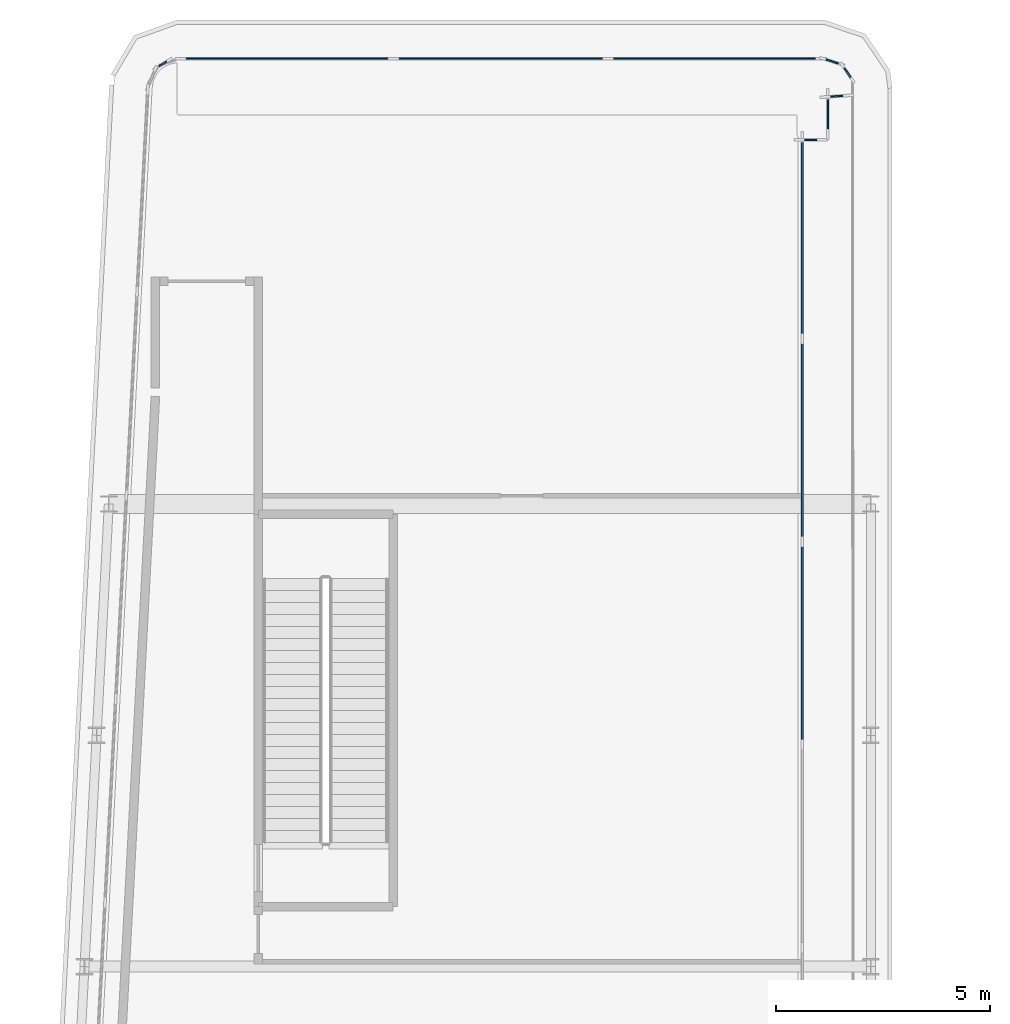
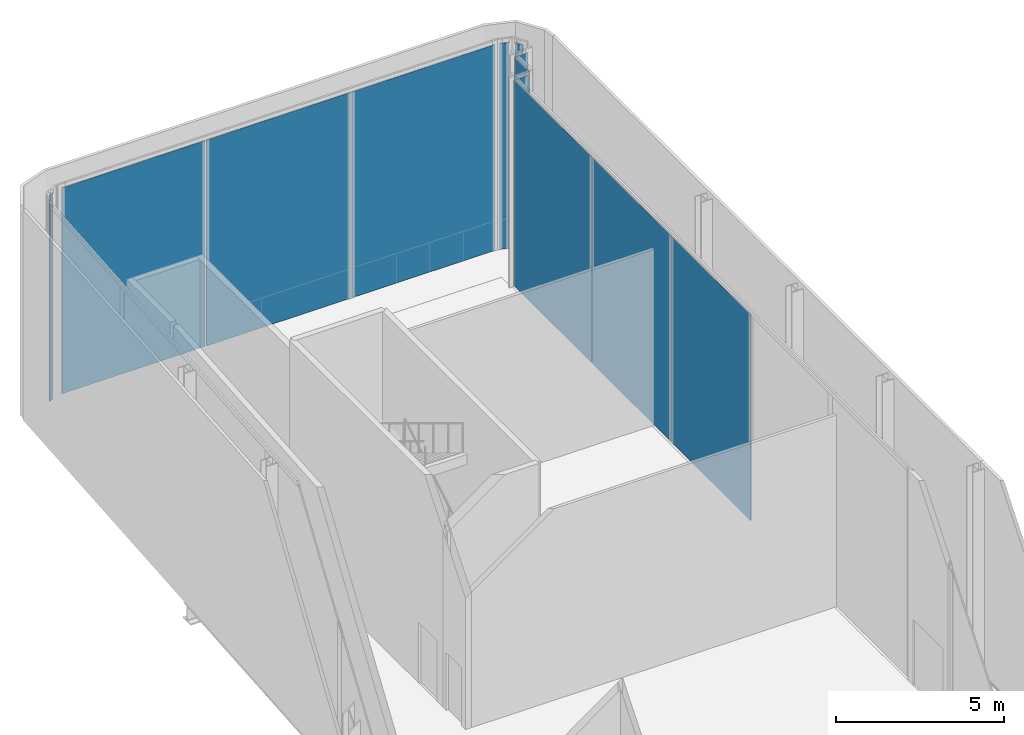
# One storey, part 19 of 27: 12 plates, 8 elements without a shape of their own.
"""IFC4 building model written with IfcOpenShell, lengths in metres."""

from ifc_helpers import new_model, si_unit, direction, frame, origin, origin_2d, place, context, subcontext, project, spatial, rectangle, extrude, material, layer, layer_set, type_object, element, aggregate, save


model = new_model("IFC4")

# Units and contexts
model_context = context("Model", 3, precision=1e-05, world=origin(), true_north=direction((0.0, 1.0)))
body_context = subcontext(model_context, "Body", "Model", "MODEL_VIEW")
ifc_project = project(units=[si_unit("LENGTHUNIT", "METRE"), si_unit("AREAUNIT", "SQUARE_METRE"), si_unit("VOLUMEUNIT", "CUBIC_METRE"), si_unit("PLANEANGLEUNIT", "RADIAN"), si_unit("MASSUNIT", "GRAM", prefix="KILO")], contexts=[model_context])

# Site, building, storey
site_placement = place(None, origin())
site = spatial("IfcSite", under=ifc_project, at=site_placement, CompositionType="ELEMENT")
building_placement = place(site_placement, origin())
building = spatial("IfcBuilding", under=site, at=building_placement, Name="Kheshtan School and Residences Tower", CompositionType="ELEMENT")
storey_placement = place(building_placement, frame((0.0, 0.0, 266.89990234375)))
storey = spatial("IfcBuildingStorey", under=building, at=storey_placement, Name="L63", CompositionType="ELEMENT", Elevation=266.89990234375)

# Curtain wall, plates
ifc_material = material(Name="Clear low-e glass in thermally broken aluminium frame", Category="aluminium")
ifc_layer_1 = layer(ifc_material, 0.25)
ifc_layer_set_1 = layer_set([ifc_layer_1], Name="Curtain wall CW-G")
curtain_wall_type_1 = type_object("IfcCurtainWallType", Name="Curtain wall CW-G", PredefinedType="NOTDEFINED", material=ifc_layer_set_1)
curtain_wall_1_placement = place(storey_placement, origin())
curtain_wall_1 = element("IfcCurtainWall", 1, at=curtain_wall_1_placement, inside=storey, type_object=curtain_wall_type_1, Name="Curtain wall CWG19b", PredefinedType="NOTDEFINED")
ifc_layer_2 = layer(ifc_material, 0.0380859375)
ifc_layer_set_2 = layer_set([ifc_layer_2], Name="CW-G glass panel")
plate_type_1 = type_object("IfcPlateType", Name="CW-G glass panel", PredefinedType="CURTAIN_PANEL", material=ifc_layer_set_2)
plate_1_placement = place(storey_placement, frame((46.0, 95.014892578125, 0.0), z_axis=(0.0, 0.0, 1.0), x_axis=(0.0, -1.0, 0.0)))
plate_1 = element("IfcPlate", 2, at=plate_1_placement, type_object=plate_type_1, Name="CWG19b panel 1.1", PredefinedType="CURTAIN_PANEL", context=body_context, shape_type="SweptSolid", body=[
    extrude(rectangle(XDim=4.64990234375, YDim=0.0380859375, at=origin_2d()), origin(), (0.0, 0.0, 1.0), 7.489990234375),
])
plate_2_placement = place(storey_placement, frame((46.0, 90.2900390625, 0.0), z_axis=(0.0, 0.0, 1.0), x_axis=(0.0, -1.0, 0.0)))
plate_2 = element("IfcPlate", 3, at=plate_2_placement, type_object=plate_type_1, Name="CWG19b panel 2.1", PredefinedType="CURTAIN_PANEL", context=body_context, shape_type="SweptSolid", body=[
    extrude(rectangle(XDim=4.679931640625, YDim=0.0380859375, at=origin_2d()), origin(), (0.0, 0.0, 1.0), 7.489990234375),
])
plate_3_placement = place(storey_placement, frame((46.0, 85.550048828125, 0.0), z_axis=(0.0, 0.0, 1.0), x_axis=(0.0, -1.0, 0.0)))
plate_3 = element("IfcPlate", 4, at=plate_3_placement, type_object=plate_type_1, Name="CWG19b panel 3.1", PredefinedType="CURTAIN_PANEL", context=body_context, shape_type="SweptSolid", body=[
    extrude(rectangle(XDim=4.679931640625, YDim=0.0380859375, at=origin_2d()), origin(), (0.0, 0.0, 1.0), 7.489990234375),
])
aggregate(curtain_wall_1, [plate_1, plate_2, plate_3])

# Curtain wall, plate
ifc_layer_3 = layer(ifc_material, 0.25)
ifc_layer_set_3 = layer_set([ifc_layer_3], Name="Curtain wall CW-K")
curtain_wall_type_2 = type_object("IfcCurtainWallType", Name="Curtain wall CW-K", PredefinedType="NOTDEFINED", material=ifc_layer_set_3)
curtain_wall_2_placement = place(storey_placement, origin())
curtain_wall_2 = element("IfcCurtainWall", 5, at=curtain_wall_2_placement, inside=storey, type_object=curtain_wall_type_2, Name="Curtain wall CWK12a", PredefinedType="NOTDEFINED")
ifc_layer_4 = layer(ifc_material, 0.0380859375)
ifc_layer_set_4 = layer_set([ifc_layer_4], Name="CW-K glass panel")
plate_type_2 = type_object("IfcPlateType", Name="CW-K glass panel", PredefinedType="CURTAIN_PANEL", material=ifc_layer_set_4)
plate_4_placement = place(storey_placement, frame((31.069580078125, 99.07470703125, 0.0), z_axis=(0.0, 0.0, 1.0), x_axis=(0.851763497749, 0.52392646803, 0.0)))
plate_4 = element("IfcPlate", 6, at=plate_4_placement, type_object=plate_type_2, Name="CWK12a panel 1.1", PredefinedType="CURTAIN_PANEL", context=body_context, shape_type="SweptSolid", body=[
    extrude(rectangle(XDim=0.206298828125, YDim=0.0380859375, at=origin_2d()), origin(), (0.0, 0.0, 1.0), 7.489990234375),
])
aggregate(curtain_wall_2, [plate_4])

# Curtain wall, plates
curtain_wall_3_placement = place(storey_placement, origin())
curtain_wall_3 = element("IfcCurtainWall", 7, at=curtain_wall_3_placement, inside=storey, type_object=curtain_wall_type_2, Name="Curtain wall CWK13a", PredefinedType="NOTDEFINED")
plate_5_placement = place(storey_placement, frame((33.9716796875, 99.199951171875, 0.0), z_axis=(0.0, 0.0, 1.0), x_axis=(1.0, 0.0, 0.0)))
plate_5 = element("IfcPlate", 8, at=plate_5_placement, type_object=plate_type_2, Name="CWK13a panel 1.1", PredefinedType="CURTAIN_PANEL", context=body_context, shape_type="SweptSolid", body=[
    extrude(rectangle(XDim=4.915283203125, YDim=0.0380859375, at=origin_2d()), origin(), (0.0, 0.0, 1.0), 7.489990234375),
])
plate_6_placement = place(storey_placement, frame((38.9619140625, 99.199951171875, 0.0), z_axis=(0.0, 0.0, 1.0), x_axis=(1.0, 0.0, 0.0)))
plate_6 = element("IfcPlate", 9, at=plate_6_placement, type_object=plate_type_2, Name="CWK13a panel 2.1", PredefinedType="CURTAIN_PANEL", context=body_context, shape_type="SweptSolid", body=[
    extrude(rectangle(XDim=4.9453125, YDim=0.0380859375, at=origin_2d()), origin(), (0.0, 0.0, 1.0), 7.489990234375),
])
plate_7_placement = place(storey_placement, frame((43.952392578125, 99.199951171875, 0.0), z_axis=(0.0, 0.0, 1.0), x_axis=(1.0, 0.0, 0.0)))
plate_7 = element("IfcPlate", 10, at=plate_7_placement, type_object=plate_type_2, Name="CWK13a panel 3.1", PredefinedType="CURTAIN_PANEL", context=body_context, shape_type="SweptSolid", body=[
    extrude(rectangle(XDim=4.915283203125, YDim=0.0380859375, at=origin_2d()), origin(), (0.0, 0.0, 1.0), 7.489990234375),
])
aggregate(curtain_wall_3, [plate_5, plate_6, plate_7])

# Curtain wall, plate
curtain_wall_4_placement = place(storey_placement, origin())
curtain_wall_4 = element("IfcCurtainWall", 11, at=curtain_wall_4_placement, inside=storey, type_object=curtain_wall_type_2, Name="Curtain wall CWK14a", PredefinedType="NOTDEFINED")
plate_8_placement = place(storey_placement, frame((46.697998046875, 99.13232421875, 0.0), z_axis=(0.0, 0.0, 1.0), x_axis=(0.952703792543, -0.303900450271, 0.0)))
plate_8 = element("IfcPlate", 12, at=plate_8_placement, type_object=plate_type_2, Name="CWK14a panel 1.1", PredefinedType="CURTAIN_PANEL", context=body_context, shape_type="SweptSolid", body=[
    extrude(rectangle(XDim=0.294677734375, YDim=0.0380859375, at=origin_2d()), origin(), (0.0, 0.0, 1.0), 7.489990234375),
])
aggregate(curtain_wall_4, [plate_8])

curtain_wall_5_placement = place(storey_placement, origin())
curtain_wall_5 = element("IfcCurtainWall", 13, at=curtain_wall_5_placement, inside=storey, type_object=curtain_wall_type_2, Name="Curtain wall CWK15a", PredefinedType="NOTDEFINED")
plate_9_placement = place(storey_placement, frame((47.0546875, 98.8701171875, 0.0), z_axis=(0.0, 0.0, 1.0), x_axis=(0.555301678168, -0.831648992198, 0.0)))
plate_9 = element("IfcPlate", 14, at=plate_9_placement, type_object=plate_type_2, Name="CWK15a panel 1.1", PredefinedType="CURTAIN_PANEL", context=body_context, shape_type="SweptSolid", body=[
    extrude(rectangle(XDim=0.263671875, YDim=0.0380859375, at=origin_2d()), origin(), (0.0, 0.0, 1.0), 7.489990234375),
])
aggregate(curtain_wall_5, [plate_9])

curtain_wall_6_placement = place(storey_placement, origin())
curtain_wall_6 = element("IfcCurtainWall", 15, at=curtain_wall_6_placement, inside=storey, type_object=curtain_wall_type_2, Name="Curtain wall CWK16a", PredefinedType="NOTDEFINED")
plate_10_placement = place(storey_placement, frame((46.806396484375, 98.32080078125, 0.0), z_axis=(0.0, 0.0, 1.0), x_axis=(-0.997894170503, -0.06486312108, 0.0)))
plate_10 = element("IfcPlate", 16, at=plate_10_placement, type_object=plate_type_2, Name="CWK16a panel 1.1", PredefinedType="CURTAIN_PANEL", context=body_context, shape_type="SweptSolid", body=[
    extrude(rectangle(XDim=0.481201171875, YDim=0.0380859375, at=origin_2d()), origin(), (0.0, 0.0, 1.0), 7.489990234375),
])
aggregate(curtain_wall_6, [plate_10])

curtain_wall_7_placement = place(storey_placement, origin())
curtain_wall_7 = element("IfcCurtainWall", 17, at=curtain_wall_7_placement, inside=storey, type_object=curtain_wall_type_2, Name="Curtain wall CWK17a", PredefinedType="NOTDEFINED")
plate_11_placement = place(storey_placement, frame((46.60009765625, 97.900390625, 0.0), z_axis=(0.0, 0.0, 1.0), x_axis=(0.0, -1.0, 0.0)))
plate_11 = element("IfcPlate", 18, at=plate_11_placement, type_object=plate_type_2, Name="CWK17a panel 1.1", PredefinedType="CURTAIN_PANEL", context=body_context, shape_type="SweptSolid", body=[
    extrude(rectangle(XDim=0.881103515625, YDim=0.0380859375, at=origin_2d()), origin(), (0.0, 0.0, 1.0), 7.489990234375),
])
aggregate(curtain_wall_7, [plate_11])

curtain_wall_8_placement = place(storey_placement, origin())
curtain_wall_8 = element("IfcCurtainWall", 19, at=curtain_wall_8_placement, inside=storey, type_object=curtain_wall_type_2, Name="Curtain wall CWK18a", PredefinedType="NOTDEFINED")
plate_12_placement = place(storey_placement, frame((46.199951171875, 97.300048828125, 0.0), z_axis=(0.0, 0.0, 1.0), x_axis=(-1.0, 0.0, 0.0)))
plate_12 = element("IfcPlate", 20, at=plate_12_placement, type_object=plate_type_2, Name="CWK18a panel 1.1", PredefinedType="CURTAIN_PANEL", context=body_context, shape_type="SweptSolid", body=[
    extrude(rectangle(XDim=0.47998046875, YDim=0.0380859375, at=origin_2d()), origin(), (0.0, 0.0, 1.0), 7.489990234375),
])
aggregate(curtain_wall_8, [plate_12])

save(model, "model.ifc")
